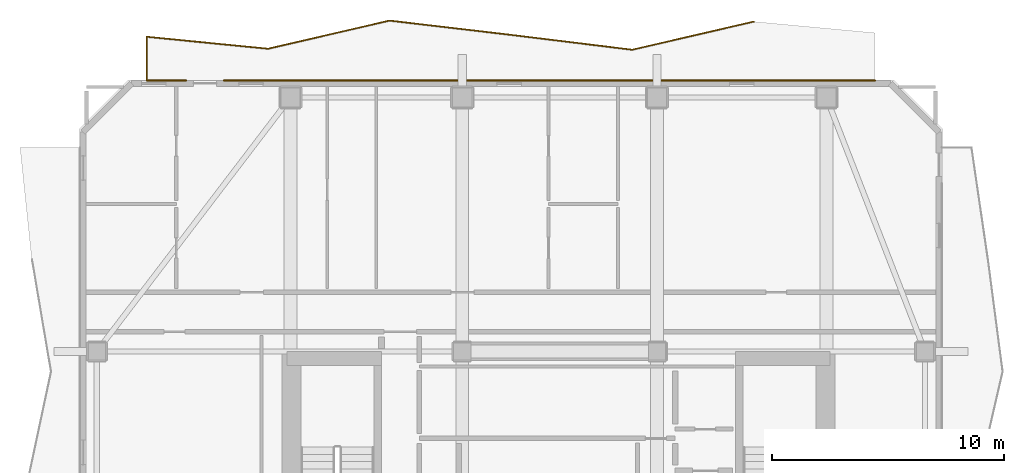
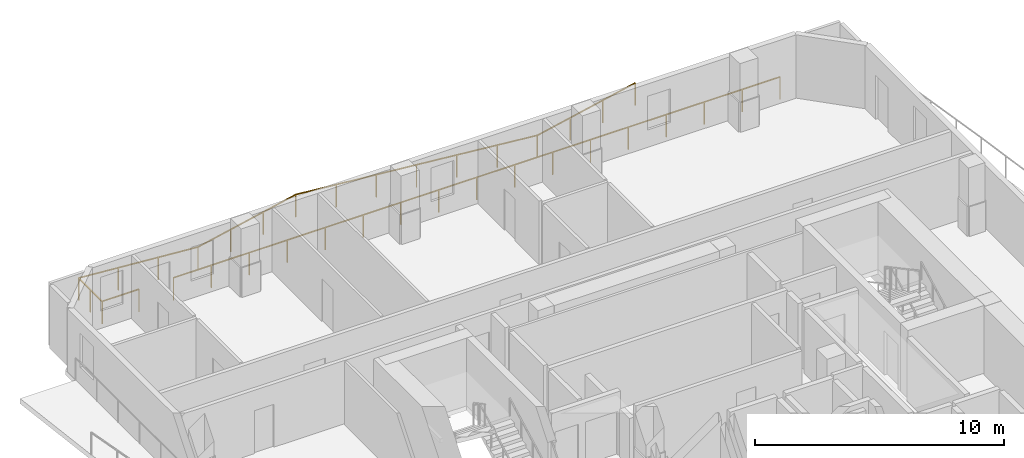
# One storey, part 10 of 10: 2 railings.
"""IFC4 building model written with IfcOpenShell, lengths in metres."""

import ifcopenshell
import ifcopenshell.guid

model = None  # the IFC model being written
_history = None  # IfcOwnerHistory: only IFC2X3 demands one
_inside = {}  # id of a spatial element -> (the spatial element, [elements in it])
_under = {}  # id of a project, library or spatial element -> (it, [spatial elements below it])
_declared = {}  # id of a project -> (the project, [libraries it declares])
_typed = {}  # id of a type object -> (the type object, [elements of that type])
_made_of = {}  # id of a material, layer set ... -> (it, [elements and type objects made of it])


def new_model(schema):
    """Start an empty IFC model of exactly this schema.

    Asked for "IFC4X3", IfcOpenShell would pick the latest addendum, in which some entities
    have other attributes; the version numbers below select the first issue.
    IFC2X3 requires an IfcOwnerHistory on every rooted entity: one is made here for all.
    """
    global model, _history
    if schema == "IFC4X3":
        model = ifcopenshell.file(schema_version=(4, 3, 0, 0))
    else:
        model = ifcopenshell.file(schema=schema)
    _inside.clear()
    _under.clear()
    _declared.clear()
    _typed.clear()
    _made_of.clear()
    _history = None
    if model.schema == "IFC2X3":
        org = make("IfcOrganization", Name="unknown")
        user = make(
            "IfcPersonAndOrganization",
            ThePerson=make("IfcPerson", FamilyName="unknown"),
            TheOrganization=org,
        )
        app = make(
            "IfcApplication",
            ApplicationDeveloper=org,
            Version="unknown",
            ApplicationFullName="unknown",
            ApplicationIdentifier="unknown",
        )
        _history = make(
            "IfcOwnerHistory",
            OwningUser=user,
            OwningApplication=app,
            ChangeAction="ADDED",
            CreationDate=0,
        )
    return model


def make(cls, **values):
    """One entity of the class cls with the attributes given. An attribute that is None is left unset."""
    return model.create_entity(
        cls, **{name: value for name, value in values.items() if value is not None}
    )


def rooted(cls, **values):
    """An entity with a GlobalId (a new one), such as an element, a storey or a relation."""
    return make(cls, GlobalId=ifcopenshell.guid.new(), OwnerHistory=_history, **values)


def si_unit(unit_type, name, prefix=None):
    """IfcSIUnit, for example si_unit("LENGTHUNIT", "METRE", prefix="MILLI")."""
    return make("IfcSIUnit", UnitType=unit_type, Prefix=prefix, Name=name)


def assignment(units):
    """IfcUnitAssignment: the units of a project."""
    return None if units is None else make("IfcUnitAssignment", Units=units)


def point(xyz):
    """IfcCartesianPoint."""
    return None if xyz is None else make("IfcCartesianPoint", Coordinates=xyz)


def direction(xyz):
    """IfcDirection."""
    return None if xyz is None else make("IfcDirection", DirectionRatios=xyz)


def frame(location, z_axis=None, x_axis=None):
    """IfcAxis2Placement3D, a coordinate frame: its origin and axes. An axis left out is left unset."""
    return make(
        "IfcAxis2Placement3D",
        Location=point(location),
        Axis=direction(z_axis),
        RefDirection=direction(x_axis),
    )


def frame_2d(location, x_axis=None):
    """IfcAxis2Placement2D, a coordinate frame in the plane: its origin and x axis."""
    return make(
        "IfcAxis2Placement2D", Location=point(location), RefDirection=direction(x_axis)
    )


def origin():
    """The frame at (0, 0, 0) with its axes left unset."""
    return frame((0.0, 0.0, 0.0))


def origin_2d():
    """The frame at (0, 0) in the plane with its x axis left unset."""
    return frame_2d((0.0, 0.0))


def place(relative_to, where):
    """IfcLocalPlacement: puts the frame where relative to a parent placement (None: the world)."""
    return make(
        "IfcLocalPlacement", PlacementRelTo=relative_to, RelativePlacement=where
    )


def context(
    kind, dimensions, precision=None, world=None, true_north=None, identifier=None
):
    """IfcGeometricRepresentationContext, for example the 3D "Model" context."""
    return make(
        "IfcGeometricRepresentationContext",
        ContextIdentifier=identifier,
        ContextType=kind,
        CoordinateSpaceDimension=dimensions,
        Precision=precision,
        WorldCoordinateSystem=world,
        TrueNorth=true_north,
    )


def subcontext(parent, identifier, kind, view, scale=None):
    """IfcGeometricRepresentationSubContext, for example "Body" below "Model"."""
    return make(
        "IfcGeometricRepresentationSubContext",
        ContextIdentifier=identifier,
        ContextType=kind,
        ParentContext=parent,
        TargetScale=scale,
        TargetView=view,
    )


def project(units=None, contexts=None):
    """IfcProject with its units and contexts."""
    return rooted(
        "IfcProject",
        Name="project",
        RepresentationContexts=contexts,
        UnitsInContext=assignment(units),
    )


def spatial(cls, under=None, at=None, **own):
    """A site, building, storey or space (cls), placed at a placement, below another one or the project."""
    s = rooted(cls, ObjectPlacement=at, **own)
    if under is not None:
        _under.setdefault(under.id(), (under, []))[1].append(s)
    return s


def profile(cls, at=None, kind="AREA", **sizes):
    """A parametric profile (cls). Its sizes go by their IFC names, for example OverallWidth=200.0."""
    return make(cls, ProfileType=kind, Position=at, **sizes)


def rectangle(**sizes):
    """IfcRectangleProfileDef."""
    return profile("IfcRectangleProfileDef", **sizes)


def extrude(swept, where, along, depth):
    """IfcExtrudedAreaSolid: the profile swept, set in the frame where, extruded along a direction by depth."""
    return make(
        "IfcExtrudedAreaSolid",
        SweptArea=swept,
        Position=where,
        ExtrudedDirection=direction(along),
        Depth=depth,
    )


def shape(context_of_items, identifier, shape_type, items):
    """IfcShapeRepresentation: the items that make up one representation, for example the "Body"."""
    return make(
        "IfcShapeRepresentation",
        ContextOfItems=context_of_items,
        RepresentationIdentifier=identifier,
        RepresentationType=shape_type,
        Items=items,
    )


def material(Name=None, Category=None):
    """IfcMaterial."""
    return make("IfcMaterial", Name=Name, Category=Category)


def made_of(thing, what):
    """Note that an element or type object is made of a material, layer set ...; save() writes the relation."""
    if what is not None:
        _made_of.setdefault(what.id(), (what, []))[1].append(thing)
    return thing


def type_object(cls, material=None, **own):
    """A type object (cls), such as IfcWallType, which elements share."""
    return made_of(rooted(cls, **own), material)


def element(
    cls,
    number,
    at=None,
    inside=None,
    cuts=None,
    type_object=None,
    material=None,
    context=None,
    identifier="Body",
    shape_type=None,
    held_by="IfcProductDefinitionShape",
    body=None,
    shapes=None,
    **own,
):
    """One element of the class cls, such as IfcWall. Its Tag is "e" and its number.

    at: its placement. inside: the storey or other place that contains it. cuts: it is an
    opening in that element (IfcRelVoidsElement). A single representation is given by context,
    identifier, shape_type and body (its items); several are given by shapes. held_by: the class
    of the entity that holds the representations. save() writes the other relations.
    """
    e = rooted(cls, Tag="e%d" % number, ObjectPlacement=at, **own)
    if body is not None:
        shapes = [shape(context, identifier, shape_type, body)]
    if shapes is not None:
        e.Representation = make(held_by, Representations=shapes)
    if inside is not None:
        _inside.setdefault(inside.id(), (inside, []))[1].append(e)
    if cuts is not None:
        rooted(
            "IfcRelVoidsElement", RelatingBuildingElement=cuts, RelatedOpeningElement=e
        )
    if type_object is not None:
        _typed.setdefault(type_object.id(), (type_object, []))[1].append(e)
    return made_of(e, material)


def aggregate(whole, parts):
    """IfcRelAggregates: a whole, such as a stair, and the parts it consists of."""
    return rooted("IfcRelAggregates", RelatingObject=whole, RelatedObjects=parts)


def save(model, path):
    """Write the relations noted so far, then the file.

    IfcRelAggregates (storeys below a building ...), IfcRelContainedInSpatialStructure (elements
    in a storey), IfcRelDefinesByType, IfcRelAssociatesMaterial and IfcRelDeclares: one each for
    every whole, place, type object, material and project.
    """
    for whole, parts in _under.values():
        aggregate(whole, parts)
    for where, things in _inside.values():
        rooted(
            "IfcRelContainedInSpatialStructure",
            RelatedElements=things,
            RelatingStructure=where,
        )
    for kind, things in _typed.values():
        rooted("IfcRelDefinesByType", RelatedObjects=things, RelatingType=kind)
    for what, things in _made_of.values():
        rooted("IfcRelAssociatesMaterial", RelatedObjects=things, RelatingMaterial=what)
    for by, libraries in _declared.values():
        rooted("IfcRelDeclares", RelatingContext=by, RelatedDefinitions=libraries)
    model.write(path)


model = new_model("IFC4")

# Units and contexts
model_context = context("Model", 3, precision=1e-05, world=origin(), true_north=direction((0.0, 1.0)))
body_context = subcontext(model_context, "Body", "Model", "MODEL_VIEW")
ifc_project = project(units=[si_unit("LENGTHUNIT", "METRE"), si_unit("AREAUNIT", "SQUARE_METRE"), si_unit("VOLUMEUNIT", "CUBIC_METRE"), si_unit("PLANEANGLEUNIT", "RADIAN"), si_unit("MASSUNIT", "GRAM", prefix="KILO")], contexts=[model_context])

# Site, building, storey
site_placement = place(None, origin())
site = spatial("IfcSite", under=ifc_project, at=site_placement, CompositionType="ELEMENT")
building_placement = place(site_placement, origin())
building = spatial("IfcBuilding", under=site, at=building_placement, Name="Solanera Arch Residences", CompositionType="ELEMENT")
storey_placement = place(building_placement, frame((0.0, 0.0, 265.56005859375)))
storey = spatial("IfcBuildingStorey", under=building, at=storey_placement, Name="L77", CompositionType="ELEMENT", Elevation=265.56005859375)

# Railings
ifc_material = material(Name="Steel S355 (ASTM A992 / A572 Grade 50)", Category="steel")
railing_type = type_object("IfcRailingType", Name="Balustrade Railing BL-1100", PredefinedType="BALUSTRADE", material=ifc_material)
railing_1_placement = place(storey_placement, frame((33.366943359375, 53.6201171875, 0.0)))
element("IfcRailing", 1, at=railing_1_placement, inside=storey, type_object=railing_type, Name="L77 N Balcony Balustrade 1", PredefinedType="BALUSTRADE", context=body_context, shape_type="SweptSolid", body=[
    extrude(rectangle(XDim=0.048095703125, YDim=0.048095703125, at=origin_2d()), frame((0.0, 0.0, 1.09619140625), z_axis=(-0.974174002603, -0.225798610828, 0.0), x_axis=(0.225798610828, -0.974174002603, 0.0)), (0.0, 0.0, 1.0), 5.37255859375),
    extrude(rectangle(XDim=0.048095703125, YDim=0.048095703125, at=origin_2d()), frame((-5.23388671875, -1.213134765625, 1.09619140625), z_axis=(-0.992556717627, 0.121783259499, 0.0), x_axis=(-0.121783259499, -0.992556717627, 0.0)), (0.0, 0.0, 1.0), 5.2724609375),
    extrude(rectangle(XDim=0.048095703125, YDim=0.048095703125, at=origin_2d()), frame((-10.467041015625, -0.571044921875, 1.09619140625), z_axis=(-0.993164829841, 0.116720267163, 0.0), x_axis=(-0.116720267163, -0.993164829841, 0.0)), (0.0, 0.0, 1.0), 5.26904296875),
    extrude(rectangle(XDim=0.048095703125, YDim=0.048095703125, at=origin_2d()), frame((-15.699951171875, 0.0439453125, 1.09619140625), z_axis=(-0.974134006463, -0.22597109871, 0.0), x_axis=(0.22597109871, -0.974134006463, 0.0)), (0.0, 0.0, 1.0), 5.372802734375),
    extrude(rectangle(XDim=0.048095703125, YDim=0.048095703125, at=origin_2d()), frame((-20.933837890625, -1.170166015625, 1.09619140625), z_axis=(-0.995171871047, 0.098147578045, 0.0), x_axis=(-0.098147578045, -0.995171871047, 0.0)), (0.0, 0.0, 1.0), 5.258544921875),
    extrude(rectangle(XDim=0.048095703125, YDim=0.048095703125, at=origin_2d()), frame((-26.1669921875, -0.654052734375, 1.09619140625), z_axis=(0.0, -1.0, 0.0), x_axis=(1.0, 0.0, 0.0)), (0.0, 0.0, 1.0), 1.885986328125),
    extrude(rectangle(XDim=0.048095703125, YDim=0.048095703125, at=origin_2d()), frame((-26.1669921875, -2.5400390625, 1.09619140625), z_axis=(1.0, 0.0, 0.0), x_axis=(0.0, 1.0, 0.0)), (0.0, 0.0, 1.0), 1.7099609375),
    extrude(rectangle(XDim=0.0419921875, YDim=0.0419921875, at=origin_2d()), origin(), (0.0, 0.0, 1.0), 1.072021484375),
    extrude(rectangle(XDim=0.0419921875, YDim=0.0419921875, at=origin_2d()), frame((-1.74462890625, -0.404296875, 0.0)), (0.0, 0.0, 1.0), 1.072021484375),
    extrude(rectangle(XDim=0.0419921875, YDim=0.0419921875, at=origin_2d()), frame((-3.4892578125, -0.808837890625, 0.0)), (0.0, 0.0, 1.0), 1.072021484375),
    extrude(rectangle(XDim=0.0419921875, YDim=0.0419921875, at=origin_2d()), frame((-5.23388671875, -1.213134765625, 0.0)), (0.0, 0.0, 1.0), 1.072021484375),
    extrude(rectangle(XDim=0.0419921875, YDim=0.0419921875, at=origin_2d()), frame((-6.978271484375, -0.9990234375, 0.0)), (0.0, 0.0, 1.0), 1.072021484375),
    extrude(rectangle(XDim=0.0419921875, YDim=0.0419921875, at=origin_2d()), frame((-8.72265625, -0.78515625, 0.0)), (0.0, 0.0, 1.0), 1.072021484375),
    extrude(rectangle(XDim=0.0419921875, YDim=0.0419921875, at=origin_2d()), frame((-10.467041015625, -0.571044921875, 0.0)), (0.0, 0.0, 1.0), 1.072021484375),
    extrude(rectangle(XDim=0.0419921875, YDim=0.0419921875, at=origin_2d()), frame((-12.21142578125, -0.365966796875, 0.0)), (0.0, 0.0, 1.0), 1.072021484375),
    extrude(rectangle(XDim=0.0419921875, YDim=0.0419921875, at=origin_2d()), frame((-13.95556640625, -0.1611328125, 0.0)), (0.0, 0.0, 1.0), 1.072021484375),
    extrude(rectangle(XDim=0.0419921875, YDim=0.0419921875, at=origin_2d()), frame((-15.699951171875, 0.0439453125, 0.0)), (0.0, 0.0, 1.0), 1.072021484375),
    extrude(rectangle(XDim=0.0419921875, YDim=0.0419921875, at=origin_2d()), frame((-17.444580078125, -0.36083984375, 0.0)), (0.0, 0.0, 1.0), 1.072021484375),
    extrude(rectangle(XDim=0.0419921875, YDim=0.0419921875, at=origin_2d()), frame((-19.189208984375, -0.765380859375, 0.0)), (0.0, 0.0, 1.0), 1.072021484375),
    extrude(rectangle(XDim=0.0419921875, YDim=0.0419921875, at=origin_2d()), frame((-20.933837890625, -1.170166015625, 0.0)), (0.0, 0.0, 1.0), 1.072021484375),
    extrude(rectangle(XDim=0.0419921875, YDim=0.0419921875, at=origin_2d()), frame((-22.67822265625, -0.998046875, 0.0)), (0.0, 0.0, 1.0), 1.072021484375),
    extrude(rectangle(XDim=0.0419921875, YDim=0.0419921875, at=origin_2d()), frame((-24.422607421875, -0.826171875, 0.0)), (0.0, 0.0, 1.0), 1.072021484375),
    extrude(rectangle(XDim=0.0419921875, YDim=0.0419921875, at=origin_2d()), frame((-26.1669921875, -0.654052734375, 0.0)), (0.0, 0.0, 1.0), 1.072021484375),
    extrude(rectangle(XDim=0.0419921875, YDim=0.0419921875, at=origin_2d()), frame((-26.1669921875, -1.59716796875, 0.0)), (0.0, 0.0, 1.0), 1.072021484375),
    extrude(rectangle(XDim=0.0419921875, YDim=0.0419921875, at=origin_2d()), frame((-26.1669921875, -2.5400390625, 0.0)), (0.0, 0.0, 1.0), 1.072021484375),
    extrude(rectangle(XDim=0.0419921875, YDim=0.0419921875, at=origin_2d()), frame((-24.45703125, -2.5400390625, 0.0)), (0.0, 0.0, 1.0), 1.072021484375),
])
railing_2_placement = place(storey_placement, frame((10.510009765625, 51.080078125, 0.0)))
element("IfcRailing", 2, at=railing_2_placement, inside=storey, type_object=railing_type, Name="L77 N Balcony Balustrade 2", PredefinedType="BALUSTRADE", context=body_context, shape_type="SweptSolid", body=[
    extrude(rectangle(XDim=0.048095703125, YDim=0.048095703125, at=origin_2d()), frame((0.0, 0.0, 1.09619140625), z_axis=(1.0, 0.0, 0.0), x_axis=(0.0, 1.0, 0.0)), (0.0, 0.0, 1.0), 28.090087890625),
    extrude(rectangle(XDim=0.0419921875, YDim=0.0419921875, at=origin_2d()), origin(), (0.0, 0.0, 1.0), 1.072021484375),
    extrude(rectangle(XDim=0.0419921875, YDim=0.0419921875, at=origin_2d()), frame((1.755615234375, 0.0, 0.0)), (0.0, 0.0, 1.0), 1.072021484375),
    extrude(rectangle(XDim=0.0419921875, YDim=0.0419921875, at=origin_2d()), frame((3.51123046875, 0.0, 0.0)), (0.0, 0.0, 1.0), 1.072021484375),
    extrude(rectangle(XDim=0.0419921875, YDim=0.0419921875, at=origin_2d()), frame((5.266845703125, 0.0, 0.0)), (0.0, 0.0, 1.0), 1.072021484375),
    extrude(rectangle(XDim=0.0419921875, YDim=0.0419921875, at=origin_2d()), frame((7.0224609375, 0.0, 0.0)), (0.0, 0.0, 1.0), 1.072021484375),
    extrude(rectangle(XDim=0.0419921875, YDim=0.0419921875, at=origin_2d()), frame((8.778076171875, 0.0, 0.0)), (0.0, 0.0, 1.0), 1.072021484375),
    extrude(rectangle(XDim=0.0419921875, YDim=0.0419921875, at=origin_2d()), frame((10.53369140625, 0.0, 0.0)), (0.0, 0.0, 1.0), 1.072021484375),
    extrude(rectangle(XDim=0.0419921875, YDim=0.0419921875, at=origin_2d()), frame((12.289306640625, 0.0, 0.0)), (0.0, 0.0, 1.0), 1.072021484375),
    extrude(rectangle(XDim=0.0419921875, YDim=0.0419921875, at=origin_2d()), frame((14.044921875, 0.0, 0.0)), (0.0, 0.0, 1.0), 1.072021484375),
    extrude(rectangle(XDim=0.0419921875, YDim=0.0419921875, at=origin_2d()), frame((15.80078125, 0.0, 0.0)), (0.0, 0.0, 1.0), 1.072021484375),
    extrude(rectangle(XDim=0.0419921875, YDim=0.0419921875, at=origin_2d()), frame((17.556396484375, 0.0, 0.0)), (0.0, 0.0, 1.0), 1.072021484375),
    extrude(rectangle(XDim=0.0419921875, YDim=0.0419921875, at=origin_2d()), frame((19.31201171875, 0.0, 0.0)), (0.0, 0.0, 1.0), 1.072021484375),
    extrude(rectangle(XDim=0.0419921875, YDim=0.0419921875, at=origin_2d()), frame((21.067626953125, 0.0, 0.0)), (0.0, 0.0, 1.0), 1.072021484375),
    extrude(rectangle(XDim=0.0419921875, YDim=0.0419921875, at=origin_2d()), frame((22.8232421875, 0.0, 0.0)), (0.0, 0.0, 1.0), 1.072021484375),
    extrude(rectangle(XDim=0.0419921875, YDim=0.0419921875, at=origin_2d()), frame((24.578857421875, 0.0, 0.0)), (0.0, 0.0, 1.0), 1.072021484375),
    extrude(rectangle(XDim=0.0419921875, YDim=0.0419921875, at=origin_2d()), frame((26.33447265625, 0.0, 0.0)), (0.0, 0.0, 1.0), 1.072021484375),
    extrude(rectangle(XDim=0.0419921875, YDim=0.0419921875, at=origin_2d()), frame((28.090087890625, 0.0, 0.0)), (0.0, 0.0, 1.0), 1.072021484375),
])

save(model, "model.ifc")
